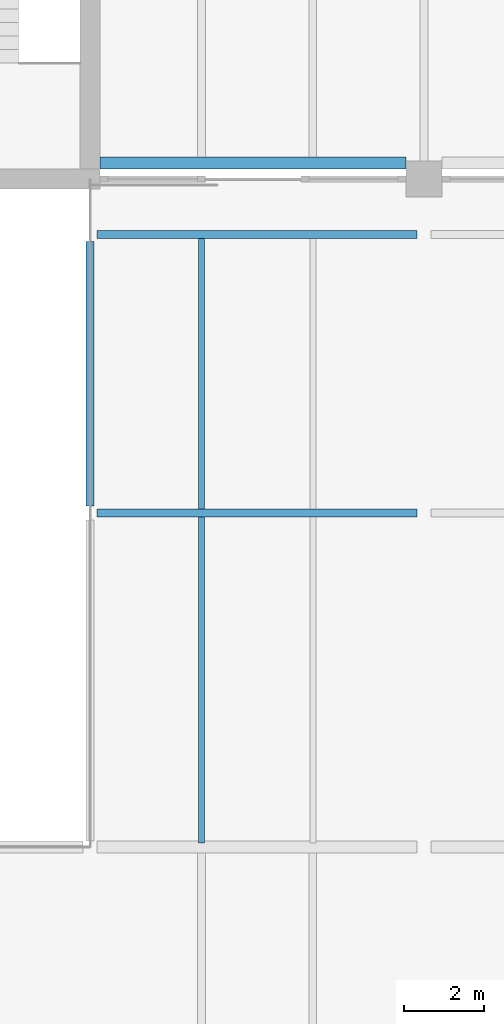
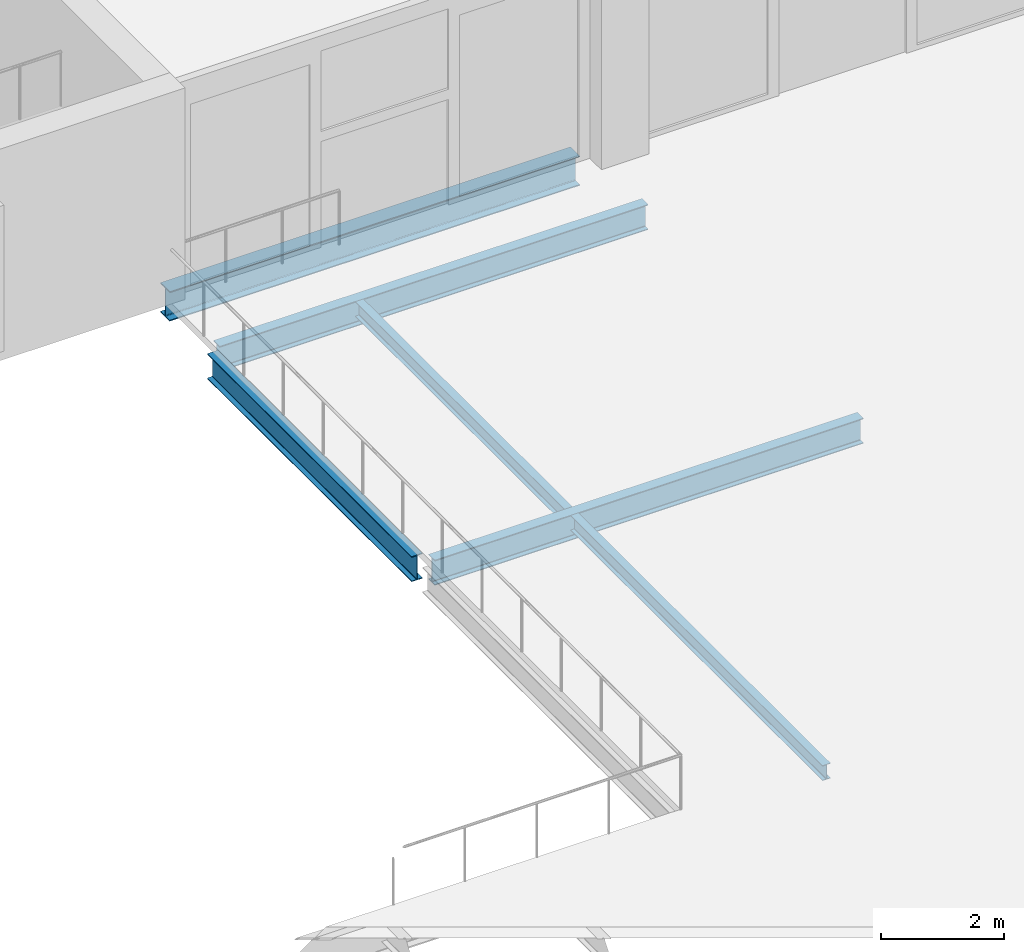
# One storey, part 23 of 96: 6 beams.
"""IFC4 building model written with IfcOpenShell, lengths in metres."""

from ifc_helpers import new_model, si_unit, direction, frame, origin, origin_2d, place, context, subcontext, project, spatial, i_section, extrude, material, material_profile, profile_set, type_object, element, save


model = new_model("IFC4")

# Units and contexts
model_context = context("Model", 3, precision=1e-05, world=origin(), true_north=direction((0.0, 1.0)))
body_context = subcontext(model_context, "Body", "Model", "MODEL_VIEW")
ifc_project = project(units=[si_unit("LENGTHUNIT", "METRE"), si_unit("AREAUNIT", "SQUARE_METRE"), si_unit("VOLUMEUNIT", "CUBIC_METRE"), si_unit("PLANEANGLEUNIT", "RADIAN"), si_unit("MASSUNIT", "GRAM", prefix="KILO")], contexts=[model_context])

# Site, building, storey
site_placement = place(None, origin())
site = spatial("IfcSite", under=ifc_project, at=site_placement, CompositionType="ELEMENT")
building_placement = place(site_placement, origin())
building = spatial("IfcBuilding", under=site, at=building_placement, Name="Cresset Court Congress Hotel", CompositionType="ELEMENT")
storey_placement = place(building_placement, frame((0.0, 0.0, 6.0)))
storey = spatial("IfcBuildingStorey", under=building, at=storey_placement, Name="L01", CompositionType="ELEMENT", Elevation=6.0)

# Beams
ifc_material_1 = material(Name="Structural steel Q355B", Category="steel")
ifc_material_profile_1 = material_profile(ifc_material_1, i_section(OverallWidth=0.300048828125, OverallDepth=0.587890625, WebThickness=0.011962890625, FlangeThickness=0.02001953125, FilletRadius=0.028076171875, at=origin_2d()), Name="HM588x300x12x20")
ifc_profile_set_1 = profile_set([ifc_material_profile_1], Name="Structural steel Q355B")
beam_type_1 = type_object("IfcBeamType", Name="Steel HM588x300x12x20 girder", PredefinedType="BEAM", material=ifc_profile_set_1)
beam_1_placement = place(storey_placement, frame((67.449951171875, 59.199951171875, -0.444091796875), z_axis=(1.0, 0.0, 0.0), x_axis=(0.0, 1.0, 0.0)))
element("IfcBeam", 1, at=beam_1_placement, inside=storey, type_object=beam_type_1, Name="Girder CG-F015", PredefinedType="BEAM", context=body_context, shape_type="SweptSolid", body=[
    extrude(i_section(OverallWidth=0.300048828125, OverallDepth=0.587890625, WebThickness=0.011962890625, FlangeThickness=0.02001953125, FilletRadius=0.028076171875, at=origin_2d()), origin(), (0.0, 0.0, 1.0), 7.699951171875),
])
ifc_material_2 = material(Name="Structural steel Q355B", Category="steel")
ifc_material_profile_2 = material_profile(ifc_material_2, i_section(OverallWidth=0.14990234375, OverallDepth=0.300048828125, WebThickness=0.006591796875, FlangeThickness=0.009033203125, FilletRadius=0.012939453125, at=origin_2d()), Name="HN300x150x6.5x9")
ifc_profile_set_2 = profile_set([ifc_material_profile_2], Name="Structural steel Q355B")
beam_type_2 = type_object("IfcBeamType", Name="Steel beam HN300x150x6.5x9", PredefinedType="BEAM", material=ifc_profile_set_2)
beam_2_placement = place(storey_placement, frame((70.0, 42.10009765625, -0.300048828125), z_axis=(0.0, 1.0, 0.0), x_axis=(-1.0, 0.0, 0.0)))
element("IfcBeam", 2, at=beam_2_placement, inside=storey, type_object=beam_type_2, Name="S.dbm.L01.S071", PredefinedType="BEAM", context=body_context, shape_type="SweptSolid", body=[
    extrude(i_section(OverallWidth=0.14990234375, OverallDepth=0.300048828125, WebThickness=0.006591796875, FlangeThickness=0.009033203125, FilletRadius=0.012939453125, at=origin_2d()), origin(), (0.0, 0.0, 1.0), 8.199951171875),
])
beam_3_placement = place(storey_placement, frame((70.0, 50.5, -0.300048828125), z_axis=(0.0, 1.0, 0.0), x_axis=(-1.0, 0.0, 0.0)))
element("IfcBeam", 3, at=beam_3_placement, inside=storey, type_object=beam_type_2, Name="S.dbm.L01.S077", PredefinedType="BEAM", context=body_context, shape_type="SweptSolid", body=[
    extrude(i_section(OverallWidth=0.14990234375, OverallDepth=0.300048828125, WebThickness=0.006591796875, FlangeThickness=0.009033203125, FilletRadius=0.012939453125, at=origin_2d()), origin(), (0.0, 0.0, 1.0), 6.800048828125),
])
ifc_material_3 = material(Name="Structural steel Q355B", Category="steel")
ifc_material_profile_3 = material_profile(ifc_material_3, i_section(OverallWidth=0.199951171875, OverallDepth=0.5, WebThickness=0.010009765625, FlangeThickness=0.01611328125, FilletRadius=0.012939453125, at=origin_2d()), Name="HN500x200x10x16")
ifc_profile_set_3 = profile_set([ifc_material_profile_3], Name="Structural steel Q355B")
beam_type_3 = type_object("IfcBeamType", Name="Steel beam HN500x200x10x16", PredefinedType="BEAM", material=ifc_profile_set_3)
for number, where, z_axis, x_axis, name in (
    (4, (67.375, 50.39990234375, -0.39990234375), (1.0, 0.0, 0.0), (0.0, 1.0, 0.0), "S.dbm.L01.P060"),
    (5, (67.375, 57.39990234375, -0.39990234375), (1.0, 0.0, 0.0), (0.0, 1.0, 0.0), "S.dbm.L01.P063"),
):
    element("IfcBeam", number, at=place(storey_placement, frame(where, z_axis=z_axis, x_axis=x_axis)), inside=storey, type_object=beam_type_3, Name=name, PredefinedType="BEAM", context=body_context, shape_type="SweptSolid", body=[
        extrude(i_section(OverallWidth=0.199951171875, OverallDepth=0.5, WebThickness=0.010009765625, FlangeThickness=0.01611328125, FilletRadius=0.012939453125, at=origin_2d()), origin(), (0.0, 0.0, 1.0), 8.050048828125),
    ])
beam_4_placement = place(storey_placement, frame((67.199951171875, 50.574951171875, -0.39990234375), z_axis=(0.0, 1.0, 0.0), x_axis=(-1.0, 0.0, 0.0)))
element("IfcBeam", 6, at=beam_4_placement, inside=storey, type_object=beam_type_3, Name="S.dbm.L01.P067", PredefinedType="BEAM", context=body_context, shape_type="SweptSolid", body=[
    extrude(i_section(OverallWidth=0.199951171875, OverallDepth=0.5, WebThickness=0.010009765625, FlangeThickness=0.01611328125, FilletRadius=0.012939453125, at=origin_2d()), origin(), (0.0, 0.0, 1.0), 6.650146484375),
])

save(model, "model.ifc")
